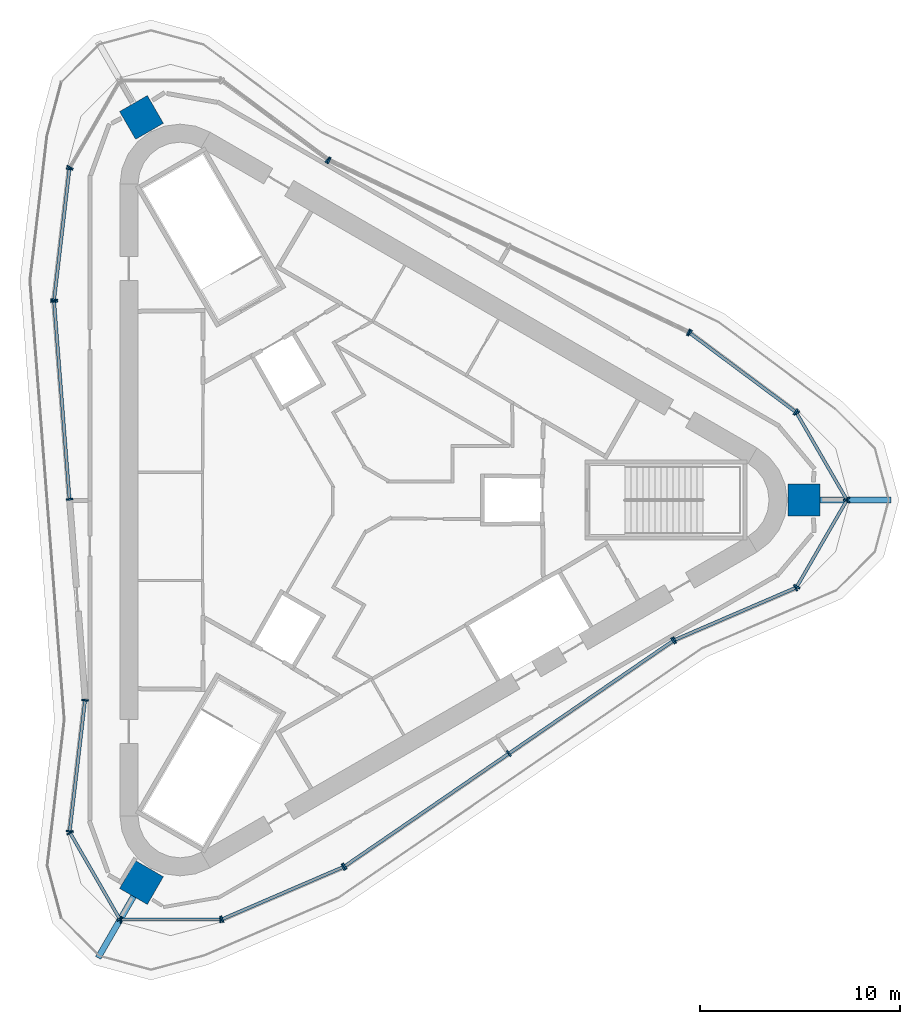
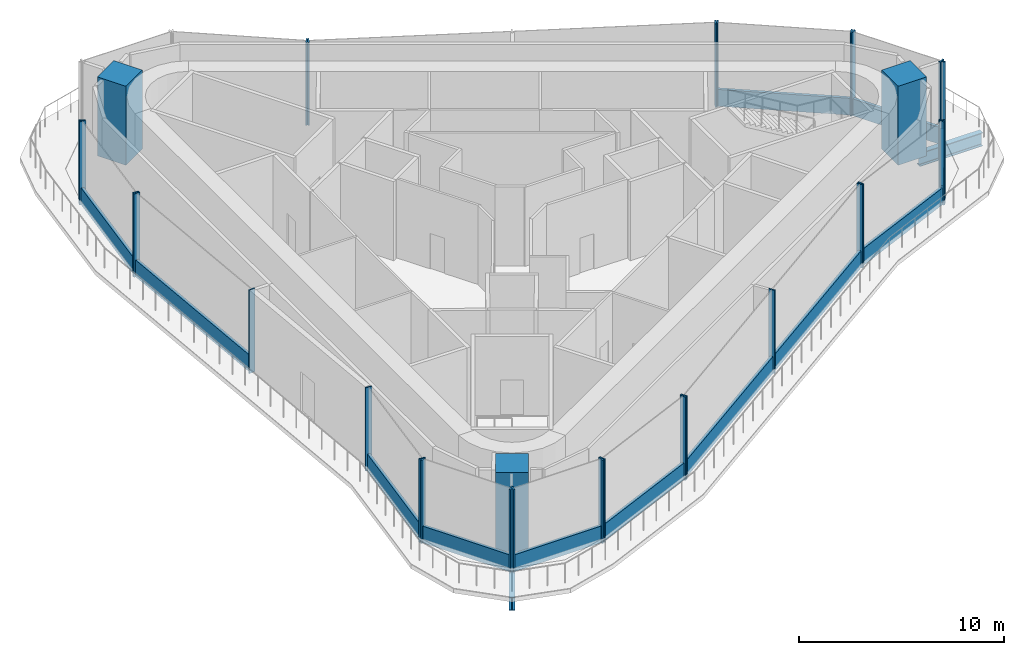
# One storey, part 1 of 8: 39 members, 3 columns, 2 beams, 14 elements without a shape of their own.
"""IFC4 building model written with IfcOpenShell, lengths in metres."""

from ifc_helpers import new_model, si_unit, direction, frame, origin, origin_2d, place, context, subcontext, project, spatial, rectangle, i_section, extrude, material, material_profile, profile_set, type_object, element, aggregate, save


model = new_model("IFC4")

# Units and contexts
model_context = context("Model", 3, precision=1e-05, world=origin(), true_north=direction((0.0, 1.0)))
body_context = subcontext(model_context, "Body", "Model", "MODEL_VIEW")
ifc_project = project(units=[si_unit("LENGTHUNIT", "METRE"), si_unit("AREAUNIT", "SQUARE_METRE"), si_unit("VOLUMEUNIT", "CUBIC_METRE"), si_unit("PLANEANGLEUNIT", "RADIAN"), si_unit("MASSUNIT", "GRAM", prefix="KILO")], contexts=[model_context])

# Site, building, storey
site_placement = place(None, origin())
site = spatial("IfcSite", under=ifc_project, at=site_placement, CompositionType="ELEMENT")
building_placement = place(site_placement, origin())
building = spatial("IfcBuilding", under=site, at=building_placement, Name="Tanit Gate Tower", CompositionType="ELEMENT")
storey_placement = place(building_placement, frame((0.0, 0.0, 440.300048828125)))
storey = spatial("IfcBuildingStorey", under=building, at=storey_placement, Name="L99", CompositionType="ELEMENT", Elevation=440.300048828125)

# Columns
ifc_material_1 = material(Name="Concrete C40/50", Category="concrete")
ifc_material_profile_1 = material_profile(ifc_material_1, rectangle(XDim=1.60009765625, YDim=1.60009765625, at=origin_2d()), Name="RC 1600x1600")
ifc_profile_set_1 = profile_set([ifc_material_profile_1], Name="Concrete C40/50")
column_type = type_object("IfcColumnType", Name="MEGA COLUMN 1600x1600 C40/50", PredefinedType="COLUMN", material=ifc_profile_set_1)
for number, where, z_axis, x_axis, name in (
    (1, (22.051025390625, 0.0, 0.0), (0.0, 0.0, 1.0), (1.0, 0.0, 0.0), "MEGA COLUMN"),
    (2, (-11.025390625, 19.0966796875, 0.0), (0.0, 0.0, 1.0), (-0.5, 0.866025403784, 0.0), "MEGA COLUMN"),
    (3, (-11.025390625, -19.0966796875, 0.0), (0.0, 0.0, 1.0), (-0.5, -0.866025403784, 0.0), "MEGA COLUMN"),
):
    element("IfcColumn", number, at=place(storey_placement, frame(where, z_axis=z_axis, x_axis=x_axis)), inside=storey, type_object=column_type, Name=name, PredefinedType="COLUMN", context=body_context, shape_type="SweptSolid", body=[
        extrude(rectangle(XDim=1.60009765625, YDim=1.60009765625, at=origin_2d()), origin(), (0.0, 0.0, 1.0), 4.699951171875),
    ])

# Beams
ifc_material_2 = material(Name="Steel S355", Category="steel")
ifc_material_profile_2 = material_profile(ifc_material_2, i_section(OverallWidth=0.300048828125, OverallDepth=0.7900390625, WebThickness=0.014892578125, FlangeThickness=0.028076171875, FilletRadius=0.030029296875, at=origin_2d()), Name="HEA 800")
ifc_profile_set_2 = profile_set([ifc_material_profile_2], Name="Steel S355")
beam_type = type_object("IfcBeamType", Name="CROWN TERRACE GIRDER HEA 800 S355", PredefinedType="BEAM", material=ifc_profile_set_2)
beam_1_placement = place(storey_placement, frame((-11.424560546875, -19.787841796875, -0.64501953125), z_axis=(-0.499947514557, -0.866055704149, 0.0), x_axis=(0.866055704149, -0.499947514557, 0.0)))
element("IfcBeam", 4, at=beam_1_placement, inside=storey, type_object=beam_type, Name="CROWN TERRACE GIRDER", PredefinedType="BEAM", context=body_context, shape_type="SweptSolid", body=[
    extrude(i_section(OverallWidth=0.300048828125, OverallDepth=0.7900390625, WebThickness=0.014892578125, FlangeThickness=0.028076171875, FilletRadius=0.030029296875, at=origin_2d()), origin(), (0.0, 0.0, 1.0), 3.537109375),
])
beam_2_placement = place(storey_placement, frame((22.84912109375, 0.0, -0.64501953125), z_axis=(1.0, 0.0, 0.0), x_axis=(0.0, 1.0, 0.0)))
element("IfcBeam", 5, at=beam_2_placement, inside=storey, type_object=beam_type, Name="CROWN TERRACE GIRDER", PredefinedType="BEAM", context=body_context, shape_type="SweptSolid", body=[
    extrude(i_section(OverallWidth=0.300048828125, OverallDepth=0.7900390625, WebThickness=0.014892578125, FlangeThickness=0.028076171875, FilletRadius=0.030029296875, at=origin_2d()), origin(), (0.0, 0.0, 1.0), 3.536865234375),
])

# Curtain wall, members
ifc_material_3 = material(Name="Aluminium bronze anodised and glass", Category="aluminium")
curtain_wall_type = type_object("IfcCurtainWallType", Name="Curtain wall plant screen", PredefinedType="NOTDEFINED", material=ifc_material_3)
curtain_wall_1_placement = place(storey_placement, origin())
curtain_wall_1 = element("IfcCurtainWall", 6, at=curtain_wall_1_placement, inside=storey, type_object=curtain_wall_type, Name="Curtain wall L99 NE1", PredefinedType="NOTDEFINED")
ifc_material_4 = material(Name="Aluminium bronze anodised", Category="aluminium")
ifc_material_profile_3 = material_profile(ifc_material_4, rectangle(XDim=0.340087890625, YDim=0.080078125, at=origin_2d()), Name="80x340 bronze mullion")
ifc_profile_set_3 = profile_set([ifc_material_profile_3], Name="Aluminium bronze anodised")
member_type_1 = type_object("IfcMemberType", Name="Mullion 80x340 plant screen", PredefinedType="MULLION", material=ifc_profile_set_3)
member_1_placement = place(storey_placement, frame((21.621826171875, 4.39892578125, -0.25), z_axis=(0.0, 0.0, 1.0), x_axis=(-0.59734052401, -0.801987717098, 0.0)))
member_1 = element("IfcMember", 7, at=member_1_placement, type_object=member_type_1, Name="Mullion L99 NE1.1", PredefinedType="MULLION", context=body_context, shape_type="SweptSolid", body=[
    extrude(rectangle(XDim=0.340087890625, YDim=0.080078125, at=origin_2d()), origin(), (0.0, 0.0, 1.0), 4.949951171875),
])
member_2_placement = place(storey_placement, frame((16.3447265625, 8.329345703125, -0.25), z_axis=(0.0, 0.0, 1.0), x_axis=(-0.59734052401, -0.801987717098, 0.0)))
member_2 = element("IfcMember", 8, at=member_2_placement, type_object=member_type_1, Name="Mullion L99 NE1.2", PredefinedType="MULLION", context=body_context, shape_type="SweptSolid", body=[
    extrude(rectangle(XDim=0.340087890625, YDim=0.080078125, at=origin_2d()), origin(), (0.0, 0.0, 1.0), 4.949951171875),
])

curtain_wall_2_placement = place(storey_placement, origin())
curtain_wall_2 = element("IfcCurtainWall", 9, at=curtain_wall_2_placement, inside=storey, type_object=curtain_wall_type, Name="Curtain wall L99 NE2", PredefinedType="NOTDEFINED")
member_3_placement = place(storey_placement, frame((16.276611328125, 8.37060546875, -0.25), z_axis=(0.0, 0.0, 1.0), x_axis=(-0.431072811819, -0.902317145415, 0.0)))
member_3 = element("IfcMember", 10, at=member_3_placement, type_object=member_type_1, Name="Mullion L99 NE2.1", PredefinedType="MULLION", context=body_context, shape_type="SweptSolid", body=[
    extrude(rectangle(XDim=0.340087890625, YDim=0.080078125, at=origin_2d()), origin(), (0.0, 0.0, 1.0), 4.949951171875),
])
member_4_placement = place(storey_placement, frame((-1.667236328125, 16.94287109375, -0.25), z_axis=(0.0, 0.0, 1.0), x_axis=(-0.431072811819, -0.902317145415, 0.0)))
member_4 = element("IfcMember", 11, at=member_4_placement, type_object=member_type_1, Name="Mullion L99 NE2.3", PredefinedType="MULLION", context=body_context, shape_type="SweptSolid", body=[
    extrude(rectangle(XDim=0.340087890625, YDim=0.080078125, at=origin_2d()), origin(), (0.0, 0.0, 1.0), 4.949951171875),
])
aggregate(curtain_wall_2, [member_3, member_4])

# Curtain wall, member
curtain_wall_3_placement = place(storey_placement, origin())
curtain_wall_3 = element("IfcCurtainWall", 12, at=curtain_wall_3_placement, inside=storey, type_object=curtain_wall_type, Name="Curtain wall L99 NE3", PredefinedType="NOTDEFINED")
member_5_placement = place(storey_placement, frame((-1.7353515625, 16.984130859375, -0.25), z_axis=(0.0, 0.0, 1.0), x_axis=(-0.59734052401, -0.801987717098, 0.0)))
member_5 = element("IfcMember", 13, at=member_5_placement, type_object=member_type_1, Name="Mullion L99 NE3.1", PredefinedType="MULLION", context=body_context, shape_type="SweptSolid", body=[
    extrude(rectangle(XDim=0.340087890625, YDim=0.080078125, at=origin_2d()), origin(), (0.0, 0.0, 1.0), 4.949951171875),
])
aggregate(curtain_wall_3, [member_5])

curtain_wall_4_placement = place(storey_placement, origin())
curtain_wall_4 = element("IfcCurtainWall", 14, at=curtain_wall_4_placement, inside=storey, type_object=curtain_wall_type, Name="Curtain wall L99 NW.arc2", PredefinedType="NOTDEFINED")
member_6_placement = place(storey_placement, frame((-14.595947265625, 16.60009765625, -0.25), z_axis=(0.0, 0.0, 1.0), x_axis=(0.866624446929, -0.498960988441, 0.0)))
member_6 = element("IfcMember", 15, at=member_6_placement, type_object=member_type_1, Name="Mullion L99 NW.arc2.2", PredefinedType="MULLION", context=body_context, shape_type="SweptSolid", body=[
    extrude(rectangle(XDim=0.340087890625, YDim=0.080078125, at=origin_2d()), origin(), (0.0, 0.0, 1.0), 4.949951171875),
])
aggregate(curtain_wall_4, [member_6])

# Curtain wall, members
curtain_wall_5_placement = place(storey_placement, origin())
curtain_wall_5 = element("IfcCurtainWall", 16, at=curtain_wall_5_placement, inside=storey, type_object=curtain_wall_type, Name="Curtain wall L99 W1", PredefinedType="NOTDEFINED")
member_7_placement = place(storey_placement, frame((-14.620361328125, 16.525634765625, -0.25), z_axis=(0.0, 0.0, 1.0), x_axis=(0.993211998535, -0.116318209953, 0.0)))
member_7 = element("IfcMember", 17, at=member_7_placement, type_object=member_type_1, Name="Mullion L99 W1.1", PredefinedType="MULLION", context=body_context, shape_type="SweptSolid", body=[
    extrude(rectangle(XDim=0.340087890625, YDim=0.080078125, at=origin_2d()), origin(), (0.0, 0.0, 1.0), 4.949951171875),
])
member_8_placement = place(storey_placement, frame((-15.3857421875, 9.990234375, -0.25), z_axis=(0.0, 0.0, 1.0), x_axis=(0.993211998535, -0.116318209953, 0.0)))
member_8 = element("IfcMember", 18, at=member_8_placement, type_object=member_type_1, Name="Mullion L99 W1.2", PredefinedType="MULLION", context=body_context, shape_type="SweptSolid", body=[
    extrude(rectangle(XDim=0.340087890625, YDim=0.080078125, at=origin_2d()), origin(), (0.0, 0.0, 1.0), 4.949951171875),
])

curtain_wall_6_placement = place(storey_placement, origin())
curtain_wall_6 = element("IfcCurtainWall", 19, at=curtain_wall_6_placement, inside=storey, type_object=curtain_wall_type, Name="Curtain wall L99 W2a", PredefinedType="NOTDEFINED")
member_9_placement = place(storey_placement, frame((-15.387451171875, 9.91064453125, -0.25), z_axis=(0.0, 0.0, 1.0), x_axis=(0.996965976109, 0.077838566791, 0.0)))
member_9 = element("IfcMember", 20, at=member_9_placement, type_object=member_type_1, Name="Mullion L99 W2a.1", PredefinedType="MULLION", context=body_context, shape_type="SweptSolid", body=[
    extrude(rectangle(XDim=0.340087890625, YDim=0.080078125, at=origin_2d()), origin(), (0.0, 0.0, 1.0), 4.949951171875),
])
member_10_placement = place(storey_placement, frame((-14.616455078125, 0.03759765625, -0.25), z_axis=(0.0, 0.0, 1.0), x_axis=(0.996965976109, 0.077838566791, 0.0)))
member_10 = element("IfcMember", 21, at=member_10_placement, type_object=member_type_1, Name="Mullion L99 W2a.2", PredefinedType="MULLION", context=body_context, shape_type="SweptSolid", body=[
    extrude(rectangle(XDim=0.340087890625, YDim=0.080078125, at=origin_2d()), origin(), (0.0, 0.0, 1.0), 4.949951171875),
])

curtain_wall_7_placement = place(storey_placement, origin())
curtain_wall_7 = element("IfcCurtainWall", 22, at=curtain_wall_7_placement, inside=storey, type_object=curtain_wall_type, Name="Curtain wall L99 W3", PredefinedType="NOTDEFINED")
member_11_placement = place(storey_placement, frame((-13.841064453125, -9.994873046875, -0.25), z_axis=(0.0, 0.0, 1.0), x_axis=(0.993211998535, -0.116318209953, 0.0)))
member_11 = element("IfcMember", 23, at=member_11_placement, type_object=member_type_1, Name="Mullion L99 W3.1", PredefinedType="MULLION", context=body_context, shape_type="SweptSolid", body=[
    extrude(rectangle(XDim=0.340087890625, YDim=0.080078125, at=origin_2d()), origin(), (0.0, 0.0, 1.0), 4.949951171875),
])
member_12_placement = place(storey_placement, frame((-14.607421875, -16.539306640625, -0.25), z_axis=(0.0, 0.0, 1.0), x_axis=(0.993211998535, -0.116318209953, 0.0)))
member_12 = element("IfcMember", 24, at=member_12_placement, type_object=member_type_1, Name="Mullion L99 W3.2", PredefinedType="MULLION", context=body_context, shape_type="SweptSolid", body=[
    extrude(rectangle(XDim=0.340087890625, YDim=0.080078125, at=origin_2d()), origin(), (0.0, 0.0, 1.0), 4.949951171875),
])

curtain_wall_8_placement = place(storey_placement, origin())
curtain_wall_8 = element("IfcCurtainWall", 25, at=curtain_wall_8_placement, inside=storey, type_object=curtain_wall_type, Name="Curtain wall L99 SW.arc1", PredefinedType="NOTDEFINED")
member_13_placement = place(storey_placement, frame((-14.592041015625, -16.61376953125, -0.25), z_axis=(0.0, 0.0, 1.0), x_axis=(0.866260849341, 0.499591974413, 0.0)))
member_13 = element("IfcMember", 26, at=member_13_placement, type_object=member_type_1, Name="Mullion L99 SW.arc1.1", PredefinedType="MULLION", context=body_context, shape_type="SweptSolid", body=[
    extrude(rectangle(XDim=0.340087890625, YDim=0.080078125, at=origin_2d()), origin(), (0.0, 0.0, 1.0), 4.949951171875),
])
member_14_placement = place(storey_placement, frame((-12.11328125, -20.911865234375, -0.25), z_axis=(0.0, 0.0, 1.0), x_axis=(0.866260849341, 0.499591974413, 0.0)))
member_14 = element("IfcMember", 27, at=member_14_placement, type_object=member_type_1, Name="Mullion L99 SW.arc1.2", PredefinedType="MULLION", context=body_context, shape_type="SweptSolid", body=[
    extrude(rectangle(XDim=0.340087890625, YDim=0.080078125, at=origin_2d()), origin(), (0.0, 0.0, 1.0), 4.949951171875),
])

curtain_wall_9_placement = place(storey_placement, origin())
curtain_wall_9 = element("IfcCurtainWall", 28, at=curtain_wall_9_placement, inside=storey, type_object=curtain_wall_type, Name="Curtain wall L99 SW.arc2", PredefinedType="NOTDEFINED")
member_15_placement = place(storey_placement, frame((-12.053466796875, -20.9462890625, -0.25), z_axis=(0.0, 0.0, 1.0), x_axis=(-0.001199331977, 0.999999280801, 0.0)))
member_15 = element("IfcMember", 29, at=member_15_placement, type_object=member_type_1, Name="Mullion L99 SW.arc2.1", PredefinedType="MULLION", context=body_context, shape_type="SweptSolid", body=[
    extrude(rectangle(XDim=0.340087890625, YDim=0.080078125, at=origin_2d()), origin(), (0.0, 0.0, 1.0), 4.949951171875),
])
member_16_placement = place(storey_placement, frame((-7.078125, -20.9404296875, -0.25), z_axis=(0.0, 0.0, 1.0), x_axis=(-0.001199331977, 0.999999280801, 0.0)))
member_16 = element("IfcMember", 30, at=member_16_placement, type_object=member_type_1, Name="Mullion L99 SW.arc2.2", PredefinedType="MULLION", context=body_context, shape_type="SweptSolid", body=[
    extrude(rectangle(XDim=0.340087890625, YDim=0.080078125, at=origin_2d()), origin(), (0.0, 0.0, 1.0), 4.949951171875),
])

curtain_wall_10_placement = place(storey_placement, origin())
curtain_wall_10 = element("IfcCurtainWall", 31, at=curtain_wall_10_placement, inside=storey, type_object=curtain_wall_type, Name="Curtain wall L99 SE1", PredefinedType="NOTDEFINED")
member_17_placement = place(storey_placement, frame((-7.00146484375, -20.924560546875, -0.25), z_axis=(0.0, 0.0, 1.0), x_axis=(-0.395871474525, 0.918305927051, 0.0)))
member_17 = element("IfcMember", 32, at=member_17_placement, type_object=member_type_1, Name="Mullion L99 SE1.1", PredefinedType="MULLION", context=body_context, shape_type="SweptSolid", body=[
    extrude(rectangle(XDim=0.340087890625, YDim=0.080078125, at=origin_2d()), origin(), (0.0, 0.0, 1.0), 4.949951171875),
])
member_18_placement = place(storey_placement, frame((-0.958740234375, -18.319580078125, -0.25), z_axis=(0.0, 0.0, 1.0), x_axis=(-0.395871474525, 0.918305927051, 0.0)))
member_18 = element("IfcMember", 33, at=member_18_placement, type_object=member_type_1, Name="Mullion L99 SE1.2", PredefinedType="MULLION", context=body_context, shape_type="SweptSolid", body=[
    extrude(rectangle(XDim=0.340087890625, YDim=0.080078125, at=origin_2d()), origin(), (0.0, 0.0, 1.0), 4.949951171875),
])

curtain_wall_11_placement = place(storey_placement, origin())
curtain_wall_11 = element("IfcCurtainWall", 34, at=curtain_wall_11_placement, inside=storey, type_object=curtain_wall_type, Name="Curtain wall L99 SE2", PredefinedType="NOTDEFINED")
member_19_placement = place(storey_placement, frame((-0.88916015625, -18.28125, -0.25), z_axis=(0.0, 0.0, 1.0), x_axis=(-0.56589316429, 0.824478578624, 0.0)))
member_19 = element("IfcMember", 35, at=member_19_placement, type_object=member_type_1, Name="Mullion L99 SE2.1", PredefinedType="MULLION", context=body_context, shape_type="SweptSolid", body=[
    extrude(rectangle(XDim=0.340087890625, YDim=0.080078125, at=origin_2d()), origin(), (0.0, 0.0, 1.0), 4.949951171875),
])
member_20_placement = place(storey_placement, frame((7.308837890625, -12.654541015625, -0.25), z_axis=(0.0, 0.0, 1.0), x_axis=(-0.56589316429, 0.824478578624, 0.0)))
member_20 = element("IfcMember", 36, at=member_20_placement, type_object=member_type_1, Name="Mullion L99 SE2.2", PredefinedType="MULLION", context=body_context, shape_type="SweptSolid", body=[
    extrude(rectangle(XDim=0.340087890625, YDim=0.080078125, at=origin_2d()), origin(), (0.0, 0.0, 1.0), 4.949951171875),
])
member_21_placement = place(storey_placement, frame((15.506591796875, -7.02783203125, -0.25), z_axis=(0.0, 0.0, 1.0), x_axis=(-0.56589316429, 0.824478578624, 0.0)))
member_21 = element("IfcMember", 37, at=member_21_placement, type_object=member_type_1, Name="Mullion L99 SE2.3", PredefinedType="MULLION", context=body_context, shape_type="SweptSolid", body=[
    extrude(rectangle(XDim=0.340087890625, YDim=0.080078125, at=origin_2d()), origin(), (0.0, 0.0, 1.0), 4.949951171875),
])

curtain_wall_12_placement = place(storey_placement, origin())
curtain_wall_12 = element("IfcCurtainWall", 38, at=curtain_wall_12_placement, inside=storey, type_object=curtain_wall_type, Name="Curtain wall L99 SE3", PredefinedType="NOTDEFINED")
member_22_placement = place(storey_placement, frame((15.576416015625, -6.9892578125, -0.25), z_axis=(0.0, 0.0, 1.0), x_axis=(-0.395871474525, 0.918305927051, 0.0)))
member_22 = element("IfcMember", 39, at=member_22_placement, type_object=member_type_1, Name="Mullion L99 SE3.1", PredefinedType="MULLION", context=body_context, shape_type="SweptSolid", body=[
    extrude(rectangle(XDim=0.340087890625, YDim=0.080078125, at=origin_2d()), origin(), (0.0, 0.0, 1.0), 4.949951171875),
])
member_23_placement = place(storey_placement, frame((21.627197265625, -4.380615234375, -0.25), z_axis=(0.0, 0.0, 1.0), x_axis=(-0.395871474525, 0.918305927051, 0.0)))
member_23 = element("IfcMember", 40, at=member_23_placement, type_object=member_type_1, Name="Mullion L99 SE3.2", PredefinedType="MULLION", context=body_context, shape_type="SweptSolid", body=[
    extrude(rectangle(XDim=0.340087890625, YDim=0.080078125, at=origin_2d()), origin(), (0.0, 0.0, 1.0), 4.949951171875),
])

curtain_wall_13_placement = place(storey_placement, origin())
curtain_wall_13 = element("IfcCurtainWall", 41, at=curtain_wall_13_placement, inside=storey, type_object=curtain_wall_type, Name="Curtain wall L99 E.arc1", PredefinedType="NOTDEFINED")
member_24_placement = place(storey_placement, frame((21.68408203125, -4.330322265625, -0.25), z_axis=(0.0, 0.0, 1.0), x_axis=(-0.865789766039, 0.500407914627, 0.0)))
member_24 = element("IfcMember", 42, at=member_24_placement, type_object=member_type_1, Name="Mullion L99 E.arc1.1", PredefinedType="MULLION", context=body_context, shape_type="SweptSolid", body=[
    extrude(rectangle(XDim=0.340087890625, YDim=0.080078125, at=origin_2d()), origin(), (0.0, 0.0, 1.0), 4.949951171875),
])
member_25_placement = place(storey_placement, frame((24.166748046875, -0.03466796875, -0.25), z_axis=(0.0, 0.0, 1.0), x_axis=(-0.865789766039, 0.500407914627, 0.0)))
member_25 = element("IfcMember", 43, at=member_25_placement, type_object=member_type_1, Name="Mullion L99 E.arc1.2", PredefinedType="MULLION", context=body_context, shape_type="SweptSolid", body=[
    extrude(rectangle(XDim=0.340087890625, YDim=0.080078125, at=origin_2d()), origin(), (0.0, 0.0, 1.0), 4.949951171875),
])

curtain_wall_14_placement = place(storey_placement, origin())
curtain_wall_14 = element("IfcCurtainWall", 44, at=curtain_wall_14_placement, inside=storey, type_object=curtain_wall_type, Name="Curtain wall L99 E.arc2", PredefinedType="NOTDEFINED")
member_26_placement = place(storey_placement, frame((24.166748046875, 0.03466796875, -0.25), z_axis=(0.0, 0.0, 1.0), x_axis=(-0.865425114951, -0.50103829236, 0.0)))
member_26 = element("IfcMember", 45, at=member_26_placement, type_object=member_type_1, Name="Mullion L99 E.arc2.1", PredefinedType="MULLION", context=body_context, shape_type="SweptSolid", body=[
    extrude(rectangle(XDim=0.340087890625, YDim=0.080078125, at=origin_2d()), origin(), (0.0, 0.0, 1.0), 4.949951171875),
])
member_27_placement = place(storey_placement, frame((21.674072265625, 4.34033203125, -0.25), z_axis=(0.0, 0.0, 1.0), x_axis=(-0.865425114951, -0.50103829236, 0.0)))
member_27 = element("IfcMember", 46, at=member_27_placement, type_object=member_type_1, Name="Mullion L99 E.arc2.2", PredefinedType="MULLION", context=body_context, shape_type="SweptSolid", body=[
    extrude(rectangle(XDim=0.340087890625, YDim=0.080078125, at=origin_2d()), origin(), (0.0, 0.0, 1.0), 4.949951171875),
])

# Member
ifc_material_5 = material(Name="Aluminium bronze anodised", Category="aluminium")
ifc_material_profile_4 = material_profile(ifc_material_5, rectangle(XDim=0.159912109375, YDim=1.0, at=origin_2d()), Name="160x1000 bronze transom")
ifc_profile_set_4 = profile_set([ifc_material_profile_4], Name="Aluminium bronze anodised")
member_type_2 = type_object("IfcMemberType", Name="Transom 160x1000 plant screen", PredefinedType="USERDEFINED", material=ifc_profile_set_4)
member_28_placement = place(storey_placement, frame((21.58984375, 4.4228515625, 0.25), z_axis=(-0.802010187048, 0.597310354733, 0.0), x_axis=(-0.597310354733, -0.802010187048, 0.0)))
member_28 = element("IfcMember", 47, at=member_28_placement, type_object=member_type_2, Name="Transom L99 NE1.1", ObjectType="TRANSOM", PredefinedType="USERDEFINED", context=body_context, shape_type="SweptSolid", body=[
    extrude(rectangle(XDim=0.159912109375, YDim=1.0, at=origin_2d()), origin(), (0.0, 0.0, 1.0), 6.5),
])

aggregate(curtain_wall_1, [member_1, member_2, member_28])

member_29_placement = place(storey_placement, frame((-14.625, 16.48583984375, 0.25), z_axis=(-0.1163247434, -0.99321123336, 0.0), x_axis=(0.99321123336, -0.1163247434, 0.0)))
member_29 = element("IfcMember", 48, at=member_29_placement, type_object=member_type_2, Name="Transom L99 W1.1", ObjectType="TRANSOM", PredefinedType="USERDEFINED", context=body_context, shape_type="SweptSolid", body=[
    extrude(rectangle(XDim=0.159912109375, YDim=1.0, at=origin_2d()), origin(), (0.0, 0.0, 1.0), 6.5),
])

aggregate(curtain_wall_5, [member_7, member_8, member_29])

member_30_placement = place(storey_placement, frame((-15.38427734375, 9.87060546875, 0.25), z_axis=(0.077842506761, -0.996965668487, 0.0), x_axis=(0.996965668487, 0.077842506761, 0.0)))
member_30 = element("IfcMember", 49, at=member_30_placement, type_object=member_type_2, Name="Transom L99 W2a.1", ObjectType="TRANSOM", PredefinedType="USERDEFINED", context=body_context, shape_type="SweptSolid", body=[
    extrude(rectangle(XDim=0.159912109375, YDim=1.0, at=origin_2d()), origin(), (0.0, 0.0, 1.0), 9.822998046875),
])

aggregate(curtain_wall_6, [member_9, member_10, member_30])

member_31_placement = place(storey_placement, frame((-13.845703125, -10.03466796875, 0.25), z_axis=(-0.116308073283, -0.99321318562, 0.0), x_axis=(0.99321318562, -0.116308073283, 0.0)))
member_31 = element("IfcMember", 50, at=member_31_placement, type_object=member_type_2, Name="Transom L99 W3.1", ObjectType="TRANSOM", PredefinedType="USERDEFINED", context=body_context, shape_type="SweptSolid", body=[
    extrude(rectangle(XDim=0.159912109375, YDim=1.0, at=origin_2d()), origin(), (0.0, 0.0, 1.0), 6.50927734375),
])

aggregate(curtain_wall_7, [member_11, member_12, member_31])

member_32_placement = place(storey_placement, frame((-14.572265625, -16.6484375, 0.25), z_axis=(0.499614211748, -0.866248024193, 0.0), x_axis=(0.866248024193, 0.499614211748, 0.0)))
member_32 = element("IfcMember", 51, at=member_32_placement, type_object=member_type_2, Name="Transom L99 SW.arc1.1", ObjectType="TRANSOM", PredefinedType="USERDEFINED", context=body_context, shape_type="SweptSolid", body=[
    extrude(rectangle(XDim=0.159912109375, YDim=1.0, at=origin_2d()), origin(), (0.0, 0.0, 1.0), 4.881591796875),
])

aggregate(curtain_wall_8, [member_13, member_14, member_32])

member_33_placement = place(storey_placement, frame((-12.013427734375, -20.9462890625, 0.25), z_axis=(0.999999283659, 0.001196946926, 0.0), x_axis=(-0.001196946926, 0.999999283659, 0.0)))
member_33 = element("IfcMember", 52, at=member_33_placement, type_object=member_type_2, Name="Transom L99 SW.arc2.1", ObjectType="TRANSOM", PredefinedType="USERDEFINED", context=body_context, shape_type="SweptSolid", body=[
    extrude(rectangle(XDim=0.159912109375, YDim=1.0, at=origin_2d()), origin(), (0.0, 0.0, 1.0), 4.895263671875),
])

aggregate(curtain_wall_9, [member_15, member_16, member_33])

member_34_placement = place(storey_placement, frame((-6.964599609375, -20.90869140625, 0.25), z_axis=(0.91830172222, 0.395881228361, 0.0), x_axis=(-0.395881228361, 0.91830172222, 0.0)))
member_34 = element("IfcMember", 53, at=member_34_placement, type_object=member_type_2, Name="Transom L99 SE1.1", ObjectType="TRANSOM", PredefinedType="USERDEFINED", context=body_context, shape_type="SweptSolid", body=[
    extrude(rectangle(XDim=0.159912109375, YDim=1.0, at=origin_2d()), origin(), (0.0, 0.0, 1.0), 6.5),
])

aggregate(curtain_wall_10, [member_17, member_18, member_34])

member_35_placement = place(storey_placement, frame((-0.856201171875, -18.258544921875, 0.25), z_axis=(0.824480065419, 0.565890998097, 0.0), x_axis=(-0.565890998097, 0.824480065419, 0.0)))
member_35 = element("IfcMember", 54, at=member_35_placement, type_object=member_type_2, Name="Transom L99 SE2.1", ObjectType="TRANSOM", PredefinedType="USERDEFINED", context=body_context, shape_type="SweptSolid", body=[
    extrude(rectangle(XDim=0.159912109375, YDim=1.0, at=origin_2d()), origin(), (0.0, 0.0, 1.0), 9.86328125),
])

member_36_placement = place(storey_placement, frame((7.341796875, -12.6318359375, 0.25), z_axis=(0.824472138627, 0.565902546935, 0.0), x_axis=(-0.565902546935, 0.824472138627, 0.0)))
member_36 = element("IfcMember", 55, at=member_36_placement, type_object=member_type_2, Name="Transom L99 SE2.2", ObjectType="TRANSOM", PredefinedType="USERDEFINED", context=body_context, shape_type="SweptSolid", body=[
    extrude(rectangle(XDim=0.159912109375, YDim=1.0, at=origin_2d()), origin(), (0.0, 0.0, 1.0), 9.863037109375),
])

aggregate(curtain_wall_11, [member_19, member_20, member_21, member_35, member_36])

member_37_placement = place(storey_placement, frame((15.613037109375, -6.973388671875, 0.25), z_axis=(0.918302929614, 0.395878427629, 0.0), x_axis=(-0.395878427629, 0.918302929614, 0.0)))
member_37 = element("IfcMember", 56, at=member_37_placement, type_object=member_type_2, Name="Transom L99 SE3.1", ObjectType="TRANSOM", PredefinedType="USERDEFINED", context=body_context, shape_type="SweptSolid", body=[
    extrude(rectangle(XDim=0.159912109375, YDim=1.0, at=origin_2d()), origin(), (0.0, 0.0, 1.0), 6.50927734375),
])

aggregate(curtain_wall_12, [member_22, member_23, member_37])

member_38_placement = place(storey_placement, frame((21.7041015625, -4.295654296875, 0.25), z_axis=(0.500393417043, 0.86579814517, 0.0), x_axis=(-0.86579814517, 0.500393417043, 0.0)))
member_38 = element("IfcMember", 57, at=member_38_placement, type_object=member_type_2, Name="Transom L99 E.arc1.1", ObjectType="TRANSOM", PredefinedType="USERDEFINED", context=body_context, shape_type="SweptSolid", body=[
    extrude(rectangle(XDim=0.159912109375, YDim=1.0, at=origin_2d()), origin(), (0.0, 0.0, 1.0), 4.88134765625),
])

aggregate(curtain_wall_13, [member_24, member_25, member_38])

member_39_placement = place(storey_placement, frame((24.146728515625, 0.0693359375, 0.25), z_axis=(-0.501040202559, 0.865424009038, 0.0), x_axis=(-0.865424009038, -0.501040202559, 0.0)))
member_39 = element("IfcMember", 58, at=member_39_placement, type_object=member_type_2, Name="Transom L99 E.arc2.1", ObjectType="TRANSOM", PredefinedType="USERDEFINED", context=body_context, shape_type="SweptSolid", body=[
    extrude(rectangle(XDim=0.159912109375, YDim=1.0, at=origin_2d()), origin(), (0.0, 0.0, 1.0), 4.89501953125),
])

aggregate(curtain_wall_14, [member_26, member_27, member_39])

save(model, "model.ifc")
